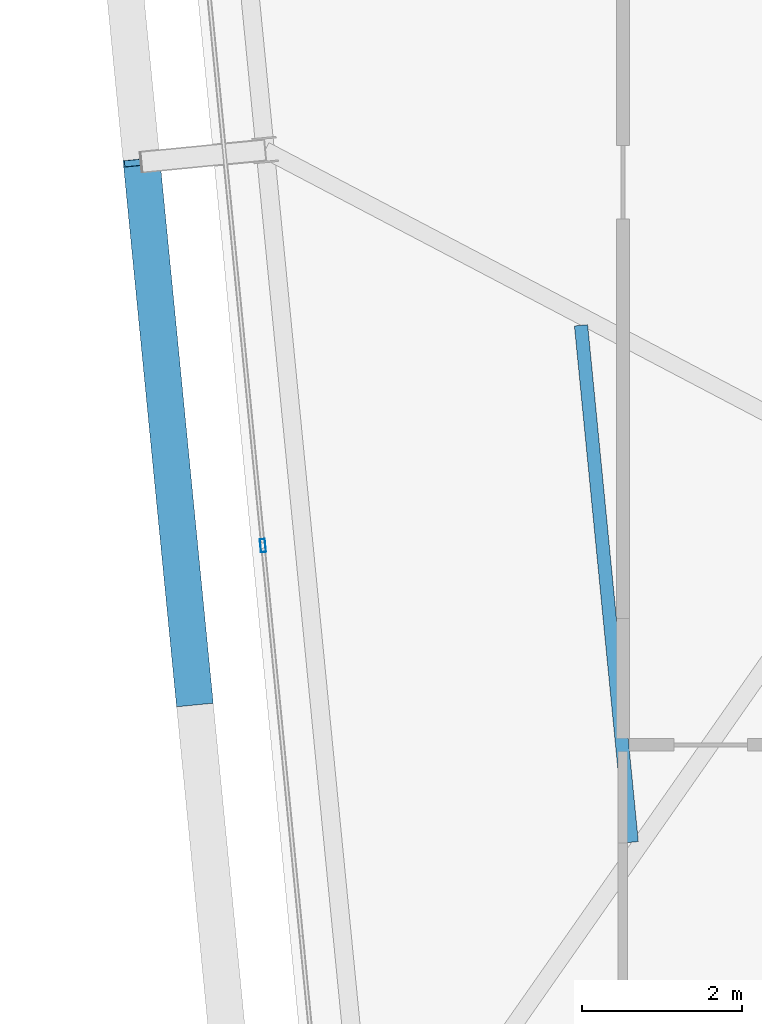
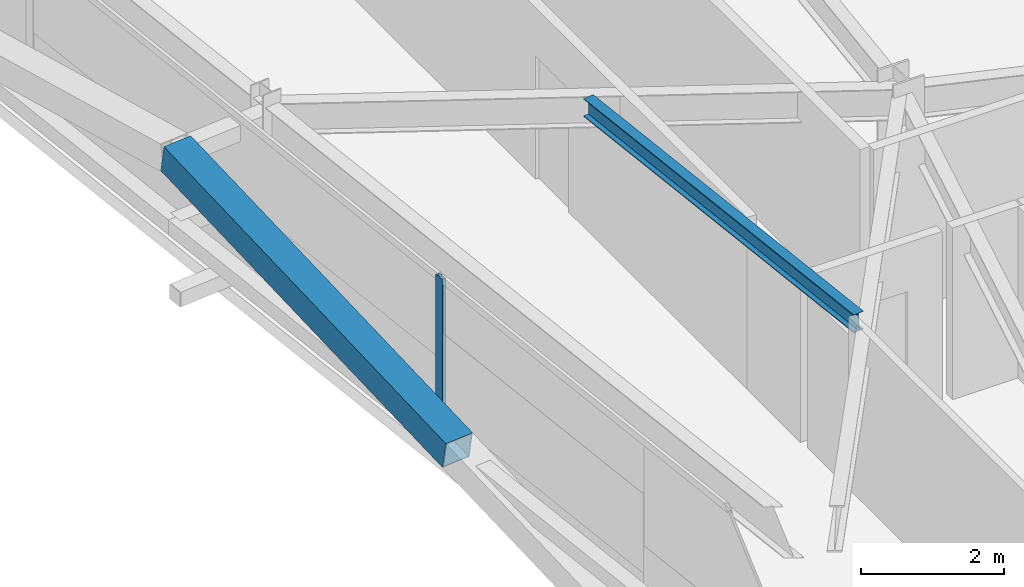
# One storey, part 7 of 47: 2 members, 1 beam, 1 element without a shape of its own.
"""IFC4 building model written with IfcOpenShell, lengths in metres."""

from ifc_helpers import new_model, si_unit, direction, frame, origin, origin_2d, place, context, subcontext, project, spatial, hollow_rectangle, i_section, extrude, source, transform, mapped, material, layer, layer_set, material_profile, profile_set, type_object, element, aggregate, save


model = new_model("IFC4")

# Units and contexts
model_context = context("Model", 3, precision=1e-05, world=origin(), true_north=direction((0.0, 1.0)))
body_context = subcontext(model_context, "Body", "Model", "MODEL_VIEW")
ifc_project = project(units=[si_unit("LENGTHUNIT", "METRE"), si_unit("AREAUNIT", "SQUARE_METRE"), si_unit("VOLUMEUNIT", "CUBIC_METRE"), si_unit("PLANEANGLEUNIT", "RADIAN"), si_unit("MASSUNIT", "GRAM", prefix="KILO")], contexts=[model_context])

# Site, building, storey
site_placement = place(None, origin())
site = spatial("IfcSite", under=ifc_project, at=site_placement, CompositionType="ELEMENT")
building_placement = place(site_placement, origin())
building = spatial("IfcBuilding", under=site, at=building_placement, Name="Taldren Reach Tower", CompositionType="ELEMENT")
storey_placement = place(building_placement, frame((0.0, 0.0, 106.050048828125)))
storey = spatial("IfcBuildingStorey", under=building, at=storey_placement, Name="L32", CompositionType="ELEMENT", Elevation=106.050048828125)

# Beam
ifc_material_1 = material(Name="Steel Gr 300 (300PLUS, 300 MPa)", Category="steel")
ifc_material_profile_1 = material_profile(ifc_material_1, i_section(OverallWidth=0.166015625, OverallDepth=0.306884765625, WebThickness=0.006591796875, FlangeThickness=0.01171875, at=origin_2d()), Name="310UB46.2")
ifc_profile_set_1 = profile_set([ifc_material_profile_1], Name="Steel Gr 300 (300PLUS, 300 MPa)")
beam_type = type_object("IfcBeamType", Name="JS-UB310", PredefinedType="JOIST", material=ifc_profile_set_1)
shared_shape_1 = source(origin(), body_context, "Body", "SweptSolid", [
    extrude(i_section(OverallWidth=0.166015625, OverallDepth=0.306884765625, WebThickness=0.006591796875, FlangeThickness=0.01171875, at=origin_2d()), origin(), (0.0, 0.0, 1.0), 6.489501953125),
])
beam_placement = place(storey_placement, frame((14.710693359375, 7.982666015625, 2.7763671875), z_axis=(-0.097588959486, 0.995226805802, 0.0), x_axis=(-0.995226805802, -0.097588959486, 0.0)))
element("IfcBeam", 1, at=beam_placement, inside=storey, type_object=beam_type, Name="Secondary floor joist B2 J6 L32", PredefinedType="JOIST", context=body_context, shape_type="MappedRepresentation", body=[
    mapped(shared_shape_1, transform((0.0, 0.0, 0.0), scale=1.0)),
])

# Member
ifc_material_2 = material(Name="Steel Gr 450 (C450L0)", Category="steel")
ifc_material_profile_2 = material_profile(ifc_material_2, hollow_rectangle(XDim=0.4599609375, YDim=0.4599609375, WallThickness=0.01611328125, at=origin_2d()), Name="460x460x16.0SHS")
ifc_profile_set_2 = profile_set([ifc_material_profile_2], Name="Steel Gr 450 (C450L0)")
member_type_1 = type_object("IfcMemberType", Name="MB-EXO457", PredefinedType="BRACE", material=ifc_profile_set_2)
shared_shape_2 = source(origin(), body_context, "Body", "SweptSolid", [
    extrude(hollow_rectangle(XDim=0.4599609375, YDim=0.4599609375, WallThickness=0.01611328125, at=origin_2d()), origin(), (0.0, 0.0, 1.0), 6.8828125),
])
member_1_placement = place(storey_placement, frame((9.2490234375, 9.7373046875, 1.43505859375), z_axis=(-0.096055397146, 0.979601884409, 0.176503565804), x_axis=(-0.995226946838, -0.097587521166, 0.0)))
element("IfcMember", 2, at=member_1_placement, inside=storey, type_object=member_type_1, Name="Exoskeleton Diagrid Brace B2-W1 L32", PredefinedType="BRACE", context=body_context, shape_type="MappedRepresentation", body=[
    mapped(shared_shape_2, transform((0.0, 0.0, 0.0), scale=1.0)),
])

# Curtain wall, member
ifc_material_3 = material(Name="Aluminium and Low-E Glass Unitised System", Category="aluminium")
ifc_layer = layer(ifc_material_3, 0.159912109375)
ifc_layer_set = layer_set([ifc_layer], Name="Aluminium and Low-E Glass Unitised System")
curtain_wall_type = type_object("IfcCurtainWallType", Name="CW-SYS-3", PredefinedType="NOTDEFINED", material=ifc_layer_set)
curtain_wall_placement = place(storey_placement, origin())
curtain_wall = element("IfcCurtainWall", 3, at=curtain_wall_placement, inside=storey, type_object=curtain_wall_type, Name="Unitised curtain wall CW-L32-W", PredefinedType="NOTDEFINED")
ifc_material_4 = material(Name="Anodised Aluminium 6063-T6", Category="aluminium")
ifc_material_profile_3 = material_profile(ifc_material_4, hollow_rectangle(XDim=0.06494140625, YDim=0.1650390625, WallThickness=0.00390625, at=origin_2d()), Name="ALU-165x65x4RHS")
ifc_profile_set_3 = profile_set([ifc_material_profile_3], Name="Anodised Aluminium 6063-T6")
member_type_2 = type_object("IfcMemberType", Name="CW-MUL-165", PredefinedType="MULLION", material=ifc_profile_set_3)
shared_shape_3 = source(origin(), body_context, "Body", "SweptSolid", [
    extrude(hollow_rectangle(XDim=0.06494140625, YDim=0.1650390625, WallThickness=0.00390625, at=origin_2d()), origin(), (0.0, 0.0, 1.0), 2.929931640625),
])
member_2_placement = place(storey_placement, frame((10.102783203125, 11.688232421875, 0.0), z_axis=(0.0, 0.0, 1.0), x_axis=(0.99522741555, 0.09758274098, 0.0)))
member_2 = element("IfcMember", 4, at=member_2_placement, type_object=member_type_2, Name="CW-3 mullion 3", PredefinedType="MULLION", context=body_context, shape_type="MappedRepresentation", body=[
    mapped(shared_shape_3, transform((0.0, 0.0, 0.0), scale=1.0)),
])
aggregate(curtain_wall, [member_2])

save(model, "model.ifc")
